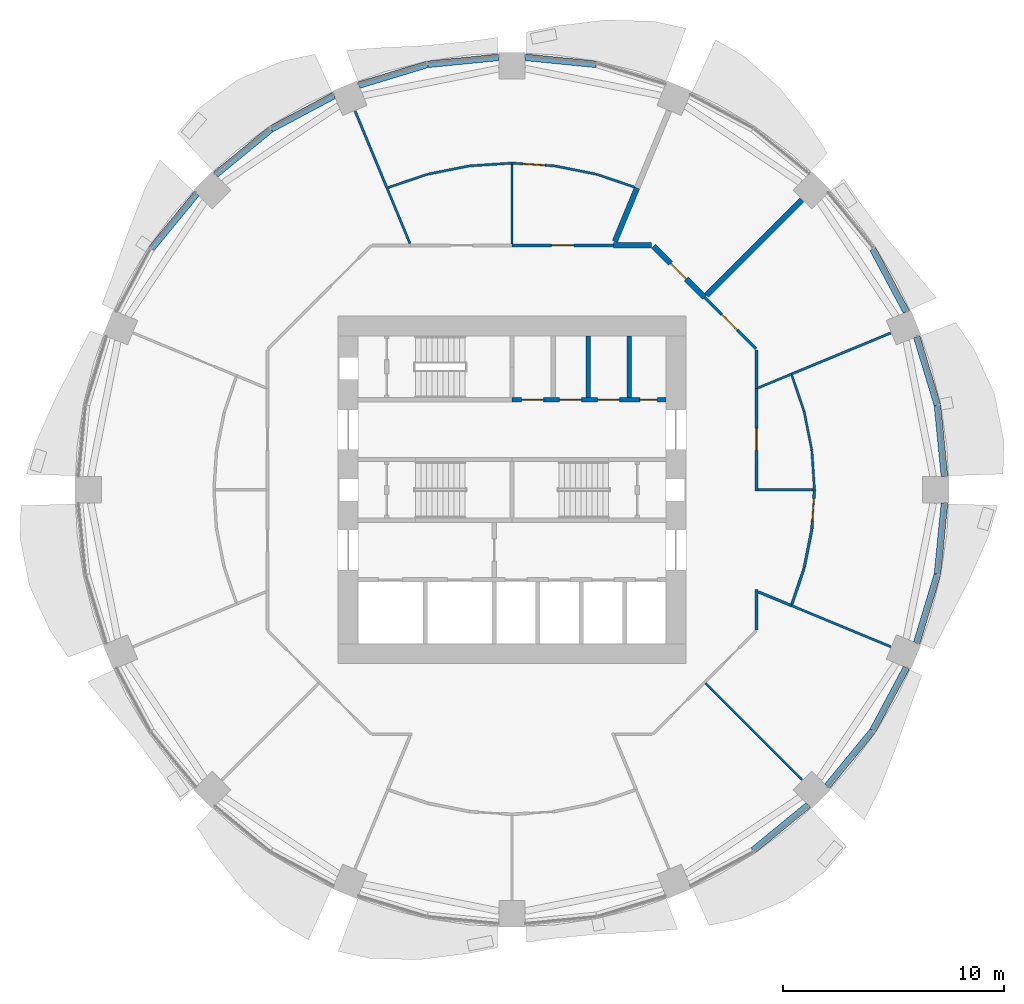
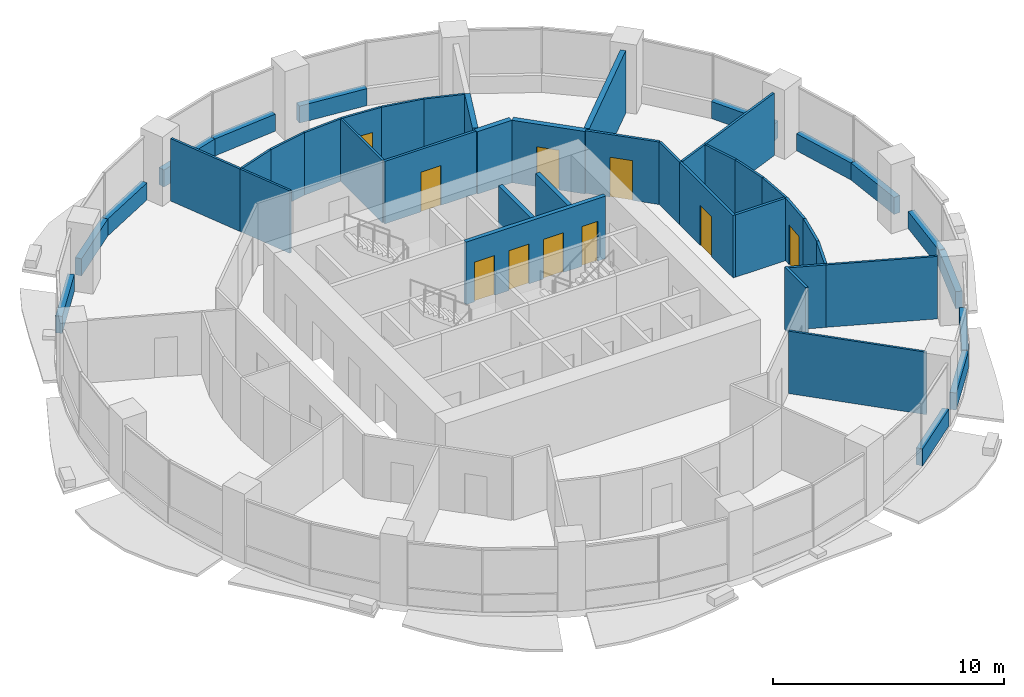
# One storey, part 10 of 15: 47 walls, 10 doors, 10 openings.
"""IFC4 building model written with IfcOpenShell, lengths in metres."""

from ifc_helpers import new_model, si_unit, direction, frame, frame_2d, origin, place, context, subcontext, project, spatial, rectangle, extrude, material, layer, layer_set, type_object, element, fill, save


model = new_model("IFC4")

# Units and contexts
model_context = context("Model", 3, precision=1e-05, world=origin(), true_north=direction((0.0, 1.0)))
body_context = subcontext(model_context, "Body", "Model", "MODEL_VIEW")
ifc_project = project(units=[si_unit("LENGTHUNIT", "METRE"), si_unit("AREAUNIT", "SQUARE_METRE"), si_unit("VOLUMEUNIT", "CUBIC_METRE"), si_unit("PLANEANGLEUNIT", "RADIAN"), si_unit("MASSUNIT", "GRAM", prefix="KILO")], contexts=[model_context])

# Site, building, storey
site_placement = place(None, origin())
site = spatial("IfcSite", under=ifc_project, at=site_placement, CompositionType="ELEMENT")
building_placement = place(site_placement, origin())
building = spatial("IfcBuilding", under=site, at=building_placement, Name="Polderwave Tower", CompositionType="ELEMENT")
storey_placement = place(building_placement, frame((0.0, 0.0, 33.5)))
storey = spatial("IfcBuildingStorey", under=building, at=storey_placement, Name="L08", CompositionType="ELEMENT", Elevation=33.5)

# Walls
ifc_material_1 = material(Name="Concrete C50/60 (board-marked)", Category="concrete")
ifc_layer_1 = layer(ifc_material_1, 0.300048828125)
ifc_layer_set_1 = layer_set([ifc_layer_1], Name="Concrete spandrel upstand C50/60")
wall_type_1 = type_object("IfcWallType", Name="Concrete spandrel upstand C50/60", PredefinedType="SOLIDWALL", material=ifc_layer_set_1)
for number, where, z_axis, x_axis, name in (
    (1, (19.589599609375, 0.61279296875, 0.0), (0.0, 0.0, 1.0), (-0.09816025243, 0.995170620971, 0.0), "Spandrel L08 1a"),
    (2, (19.267578125, 3.847412109375, 0.0), (0.0, 0.0, 1.0), (-0.290301899131, 0.956935111364, 0.0), "Spandrel L08 1b"),
):
    element("IfcWall", number, at=place(storey_placement, frame(where, z_axis=z_axis, x_axis=x_axis)), inside=storey, type_object=wall_type_1, Name=name, PredefinedType="SOLIDWALL", context=body_context, shape_type="SweptSolid", body=[
        extrude(rectangle(XDim=3.220947265625, YDim=0.300048828125, at=frame_2d((1.6103515625, 0.0))), origin(), (0.0, 0.0, 1.0), 0.89990234375),
    ])
wall_1_placement = place(storey_placement, frame((17.86279296875, 8.063232421875, 0.0), z_axis=(0.0, 0.0, 1.0), x_axis=(-0.471217656413, 0.882016961449, 0.0)))
element("IfcWall", 3, at=wall_1_placement, inside=storey, type_object=wall_type_1, Name="Spandrel L08 2a", PredefinedType="SOLIDWALL", context=body_context, shape_type="SweptSolid", body=[
    extrude(rectangle(XDim=3.220458984375, YDim=0.300048828125, at=frame_2d((1.6103515625, 0.0))), origin(), (0.0, 0.0, 1.0), 0.89990234375),
])
for number, where, z_axis, x_axis, name in (
    (4, (3.818115234375, 19.2734375, 0.0), (0.0, 0.0, 1.0), (-0.995170620971, 0.09816025243, 0.0), "Spandrel L08 4b"),
    (5, (-0.61279296875, 19.589599609375, 0.0), (0.0, 0.0, 1.0), (-0.995170620971, -0.09816025243, 0.0), "Spandrel L08 5a"),
    (6, (-3.847412109375, 19.267578125, 0.0), (0.0, 0.0, 1.0), (-0.956935111364, -0.290301899131, 0.0), "Spandrel L08 5b"),
):
    element("IfcWall", number, at=place(storey_placement, frame(where, z_axis=z_axis, x_axis=x_axis)), inside=storey, type_object=wall_type_1, Name=name, PredefinedType="SOLIDWALL", context=body_context, shape_type="SweptSolid", body=[
        extrude(rectangle(XDim=3.220947265625, YDim=0.300048828125, at=frame_2d((1.6103515625, 0.0))), origin(), (0.0, 0.0, 1.0), 0.89990234375),
    ])
wall_2_placement = place(storey_placement, frame((-8.063232421875, 17.86279296875, 0.0), z_axis=(0.0, 0.0, 1.0), x_axis=(-0.882016961449, -0.471217656413, 0.0)))
element("IfcWall", 7, at=wall_2_placement, inside=storey, type_object=wall_type_1, Name="Spandrel L08 6a", PredefinedType="SOLIDWALL", context=body_context, shape_type="SweptSolid", body=[
    extrude(rectangle(XDim=3.220458984375, YDim=0.300048828125, at=frame_2d((1.6103515625, 0.0))), origin(), (0.0, 0.0, 1.0), 0.89990234375),
])
for number, where, z_axis, x_axis, name in (
    (8, (-10.9287109375, 16.32861328125, 0.0), (0.0, 0.0, 1.0), (-0.773020947345, -0.634380496993, 0.0), "Spandrel L08 6b"),
    (9, (-14.285400390625, 13.41845703125, 0.0), (0.0, 0.0, 1.0), (-0.634380496993, -0.773020947345, 0.0), "Spandrel L08 7a"),
    (10, (10.9287109375, -16.32861328125, 0.0), (0.0, 0.0, 1.0), (0.773020947345, 0.634380496993, 0.0), "Spandrel L08 14b"),
    (11, (14.285400390625, -13.41845703125, 0.0), (0.0, 0.0, 1.0), (0.634380496993, 0.773020947345, 0.0), "Spandrel L08 15a"),
):
    element("IfcWall", number, at=place(storey_placement, frame(where, z_axis=z_axis, x_axis=x_axis)), inside=storey, type_object=wall_type_1, Name=name, PredefinedType="SOLIDWALL", context=body_context, shape_type="SweptSolid", body=[
        extrude(rectangle(XDim=3.220703125, YDim=0.300048828125, at=frame_2d((1.6103515625, 0.0))), origin(), (0.0, 0.0, 1.0), 0.89990234375),
    ])
wall_3_placement = place(storey_placement, frame((16.34521484375, -10.90380859375, 0.0), z_axis=(0.0, 0.0, 1.0), x_axis=(0.471217656413, 0.882016961449, 0.0)))
element("IfcWall", 12, at=wall_3_placement, inside=storey, type_object=wall_type_1, Name="Spandrel L08 15b", PredefinedType="SOLIDWALL", context=body_context, shape_type="SweptSolid", body=[
    extrude(rectangle(XDim=3.220458984375, YDim=0.300048828125, at=frame_2d((1.6103515625, 0.0))), origin(), (0.0, 0.0, 1.0), 0.89990234375),
])
for number, where, z_axis, x_axis, name in (
    (13, (18.33251953125, -6.9296875, 0.0), (0.0, 0.0, 1.0), (0.290301899131, 0.956935111364, 0.0), "Spandrel L08 16a"),
    (14, (19.2734375, -3.818115234375, 0.0), (0.0, 0.0, 1.0), (0.09816025243, 0.995170620971, 0.0), "Spandrel L08 16b"),
):
    element("IfcWall", number, at=place(storey_placement, frame(where, z_axis=z_axis, x_axis=x_axis)), inside=storey, type_object=wall_type_1, Name=name, PredefinedType="SOLIDWALL", context=body_context, shape_type="SweptSolid", body=[
        extrude(rectangle(XDim=3.220947265625, YDim=0.300048828125, at=frame_2d((1.6103515625, 0.0))), origin(), (0.0, 0.0, 1.0), 0.89990234375),
    ])
ifc_material_2 = material(Name="Gypsum board partition")
ifc_layer_2 = layer(ifc_material_2, 0.199951171875)
ifc_layer_set_2 = layer_set([ifc_layer_2], Name="Core room partition 200")
wall_type_2 = type_object("IfcWallType", Name="Core room partition 200", PredefinedType="PARTITIONING", material=ifc_layer_set_2)
wall_4_placement = place(storey_placement, frame((3.444580078125, 4.174072265625, 0.0), z_axis=(0.0, 0.0, 1.0), x_axis=(0.0, 1.0, 0.0)))
element("IfcWall", 15, at=wall_4_placement, inside=storey, type_object=wall_type_2, Name="L08 room partition N2", PredefinedType="PARTITIONING", context=body_context, shape_type="SweptSolid", body=[
    extrude(rectangle(XDim=2.800048828125, YDim=0.199951171875, at=frame_2d((1.39990234375, 0.0))), origin(), (0.0, 0.0, 1.0), 3.300048828125),
])

# Wall, openings, doors
ifc_material_3 = material(Name="Concrete C50/60", Category="concrete")
ifc_layer_3 = layer(ifc_material_3, 0.199951171875)
ifc_layer_set_3 = layer_set([ifc_layer_3], Name="Core web wall 200")
wall_type_3 = type_object("IfcWallType", Name="Core web wall 200", PredefinedType="SHEAR", material=ifc_layer_set_3)
wall_5_placement = place(storey_placement, frame((0.0, 4.073974609375, 0.0), z_axis=(0.0, 0.0, 1.0), x_axis=(1.0, 0.0, 0.0)))
wall_5 = element("IfcWall", 16, at=wall_5_placement, inside=storey, type_object=wall_type_3, Name="L08 north front wall 2", PredefinedType="SHEAR", context=body_context, shape_type="SweptSolid", body=[
    extrude(rectangle(XDim=6.97412109375, YDim=0.199951171875, at=frame_2d((3.487060546875, 0.0))), origin(), (0.0, 0.0, 1.0), 3.300048828125),
])
opening_1_placement = place(wall_5_placement, frame((0.430419921875, 0.0, 0.0)))
opening_1 = element("IfcOpeningElement", 17, at=opening_1_placement, cuts=wall_5, Name="Opening L08-D14", PredefinedType="OPENING", context=body_context, shape_type="SweptSolid", body=[
    extrude(rectangle(XDim=1.0, YDim=2.10009765625, at=frame_2d((0.5, 1.050048828125))), frame((0.0, 0.10986328125, 0.0), z_axis=(0.0, -1.0, 0.0), x_axis=(1.0, 0.0, 0.0)), (0.0, 0.0, 1.0), 0.219970703125),
])
opening_2_placement = place(wall_5_placement, frame((2.152587890625, 0.0, 0.0)))
opening_2 = element("IfcOpeningElement", 18, at=opening_2_placement, cuts=wall_5, Name="Opening L08-D15", PredefinedType="OPENING", context=body_context, shape_type="SweptSolid", body=[
    extrude(rectangle(XDim=1.0, YDim=2.10009765625, at=frame_2d((0.5, 1.050048828125))), frame((0.0, 0.10986328125, 0.0), z_axis=(0.0, -1.0, 0.0), x_axis=(1.0, 0.0, 0.0)), (0.0, 0.0, 1.0), 0.219970703125),
])
opening_3_placement = place(wall_5_placement, frame((3.875, 0.0, 0.0)))
opening_3 = element("IfcOpeningElement", 19, at=opening_3_placement, cuts=wall_5, Name="Opening L08-D16", PredefinedType="OPENING", context=body_context, shape_type="SweptSolid", body=[
    extrude(rectangle(XDim=1.0, YDim=2.10009765625, at=frame_2d((0.5, 1.050048828125))), frame((0.0, 0.10986328125, 0.0), z_axis=(0.0, -1.0, 0.0), x_axis=(1.0, 0.0, 0.0)), (0.0, 0.0, 1.0), 0.219970703125),
])
opening_4_placement = place(wall_5_placement, frame((5.789794921875, 0.0, 0.0)))
opening_4 = element("IfcOpeningElement", 20, at=opening_4_placement, cuts=wall_5, Name="Opening L08-D17", PredefinedType="OPENING", context=body_context, shape_type="SweptSolid", body=[
    extrude(rectangle(XDim=0.800048828125, YDim=2.10009765625, at=frame_2d((0.39990234375, 1.050048828125))), frame((0.0, 0.10986328125, 0.0), z_axis=(0.0, -1.0, 0.0), x_axis=(1.0, 0.0, 0.0)), (0.0, 0.0, 1.0), 0.219970703125),
])
ifc_material_4 = material(Name="Timber door leaf", Category="wood")
door_type_1 = type_object("IfcDoorType", Name="Accessible WC door 1000", OperationType="NOTDEFINED", PredefinedType="DOOR", material=ifc_material_4)
door_1_placement = place(opening_1_placement, origin())
door_1 = element("IfcDoor", 21, at=door_1_placement, inside=storey, type_object=door_type_1, Name="Accessible WC door", OperationType="SINGLE_SWING_LEFT", OverallHeight=2.10009765625, OverallWidth=1.0, PredefinedType="DOOR", context=body_context, shape_type="SweptSolid", body=[
    extrude(rectangle(XDim=1.0, YDim=2.10009765625, at=frame_2d((0.5, 1.050048828125))), frame((0.0, 0.02490234375, 0.0), z_axis=(0.0, -1.0, 0.0), x_axis=(1.0, 0.0, 0.0)), (0.0, 0.0, 1.0), 0.050048828125),
])
fill(opening_1, door_1)
ifc_material_5 = material(Name="Steel fire door", Category="steel")
door_type_2 = type_object("IfcDoorType", Name="Riser door 800", OperationType="NOTDEFINED", PredefinedType="DOOR", material=ifc_material_5)
door_2_placement = place(opening_4_placement, frame((0.800048828125, 0.0, 0.0), z_axis=(0.0, 0.0, 1.0), x_axis=(-1.0, 0.0, 0.0)))
door_2 = element("IfcDoor", 22, at=door_2_placement, inside=storey, type_object=door_type_2, Name="Riser door", OperationType="SINGLE_SWING_LEFT", OverallHeight=2.10009765625, OverallWidth=0.800048828125, PredefinedType="DOOR", context=body_context, shape_type="SweptSolid", body=[
    extrude(rectangle(XDim=0.800048828125, YDim=2.10009765625, at=frame_2d((0.39990234375, 1.050048828125))), frame((0.0, 0.02490234375, 0.0), z_axis=(0.0, -1.0, 0.0), x_axis=(1.0, 0.0, 0.0)), (0.0, 0.0, 1.0), 0.050048828125),
])
fill(opening_4, door_2)
door_type_3 = type_object("IfcDoorType", Name="Room door 1000", OperationType="NOTDEFINED", PredefinedType="DOOR", material=ifc_material_4)
door_3_placement = place(opening_2_placement, frame((1.0, 0.0, 0.0), z_axis=(0.0, 0.0, 1.0), x_axis=(-1.0, 0.0, 0.0)))
door_3 = element("IfcDoor", 23, at=door_3_placement, inside=storey, type_object=door_type_3, Name="Pump room door", OperationType="SINGLE_SWING_RIGHT", OverallHeight=2.10009765625, OverallWidth=1.0, PredefinedType="DOOR", context=body_context, shape_type="SweptSolid", body=[
    extrude(rectangle(XDim=1.0, YDim=2.10009765625, at=frame_2d((0.5, 1.050048828125))), frame((0.0, 0.02490234375, 0.0), z_axis=(0.0, -1.0, 0.0), x_axis=(1.0, 0.0, 0.0)), (0.0, 0.0, 1.0), 0.050048828125),
])
fill(opening_2, door_3)
door_4_placement = place(opening_3_placement, origin())
door_4 = element("IfcDoor", 24, at=door_4_placement, inside=storey, type_object=door_type_3, Name="Cleaner's store door", OperationType="SINGLE_SWING_RIGHT", OverallHeight=2.10009765625, OverallWidth=1.0, PredefinedType="DOOR", context=body_context, shape_type="SweptSolid", body=[
    extrude(rectangle(XDim=1.0, YDim=2.10009765625, at=frame_2d((0.5, 1.050048828125))), frame((0.0, 0.02490234375, 0.0), z_axis=(0.0, -1.0, 0.0), x_axis=(1.0, 0.0, 0.0)), (0.0, 0.0, 1.0), 0.050048828125),
])
fill(opening_3, door_4)

# Wall, opening, door
ifc_material_6 = material(Name="Fire-resisting board on steel studs", Category="steel")
ifc_layer_4 = layer(ifc_material_6, 0.125)
ifc_layer_set_4 = layer_set([ifc_layer_4], Name="Corridor wall 125 mm EI 60")
wall_type_4 = type_object("IfcWallType", Name="Corridor wall 125 mm EI 60", PredefinedType="PARTITIONING", material=ifc_layer_set_4)
wall_6_placement = place(storey_placement, frame((11.073974609375, 4.5869140625, 0.0), z_axis=(0.0, 0.0, 1.0), x_axis=(0.0, -1.0, 0.0)))
wall_6 = element("IfcWall", 25, at=wall_6_placement, inside=storey, type_object=wall_type_4, Name="IN-L08-W001", PredefinedType="PARTITIONING", context=body_context, shape_type="SweptSolid", body=[
    extrude(rectangle(XDim=4.6494140625, YDim=0.125, at=frame_2d((2.32470703125, 0.0))), origin(), (0.0, 0.0, 1.0), 3.300048828125),
])
opening_5_placement = place(wall_6_placement, frame((1.800048828125, 0.0, 0.0)))
opening_5 = element("IfcOpeningElement", 26, at=opening_5_placement, cuts=wall_6, Name="Opening L08-D50", PredefinedType="OPENING", context=body_context, shape_type="SweptSolid", body=[
    extrude(rectangle(XDim=1.0, YDim=2.10009765625, at=frame_2d((0.5, 1.050048828125))), frame((0.0, 0.072509765625, 0.0), z_axis=(0.0, -1.0, 0.0), x_axis=(1.0, 0.0, 0.0)), (0.0, 0.0, 1.0), 0.14501953125),
])
ifc_material_7 = material(Name="Timber fire door leaf", Category="wood")
door_type_4 = type_object("IfcDoorType", Name="Fire door FD30S 1000 x 2100", OperationType="NOTDEFINED", PredefinedType="DOOR", material=ifc_material_7)
door_5_placement = place(opening_5_placement, origin())
door_5 = element("IfcDoor", 27, at=door_5_placement, inside=storey, type_object=door_type_4, Name="Door L08-D50", OperationType="SINGLE_SWING_LEFT", OverallHeight=2.10009765625, OverallWidth=1.0, PredefinedType="DOOR", context=body_context, shape_type="SweptSolid", body=[
    extrude(rectangle(XDim=1.0, YDim=2.10009765625, at=frame_2d((0.5, 1.050048828125))), frame((0.0, 0.02490234375, 0.0), z_axis=(0.0, -1.0, 0.0), x_axis=(1.0, 0.0, 0.0)), (0.0, 0.0, 1.0), 0.050048828125),
])
fill(opening_5, door_5)

wall_7_placement = place(storey_placement, frame((8.722412109375, 8.722412109375, 0.0), z_axis=(0.0, 0.0, 1.0), x_axis=(0.707143776336, -0.707069784102, 0.0)))
wall_7 = element("IfcWall", 28, at=wall_7_placement, inside=storey, type_object=wall_type_4, Name="IN-L08-W002", PredefinedType="PARTITIONING", context=body_context, shape_type="SweptSolid", body=[
    extrude(rectangle(XDim=3.299560546875, YDim=0.125, at=frame_2d((1.64990234375, 0.0))), origin(), (0.0, 0.0, 1.0), 3.300048828125),
])
opening_6_placement = place(wall_7_placement, frame((1.10009765625, 0.0, 0.0)))
opening_6 = element("IfcOpeningElement", 29, at=opening_6_placement, cuts=wall_7, Name="Opening L08-D51", PredefinedType="OPENING", context=body_context, shape_type="SweptSolid", body=[
    extrude(rectangle(XDim=1.0, YDim=2.10009765625, at=frame_2d((0.5, 1.050048828125))), frame((0.0, 0.072509765625, 0.0), z_axis=(0.0, -1.0, 0.0), x_axis=(1.0, 0.0, 0.0)), (0.0, 0.0, 1.0), 0.14501953125),
])
door_6_placement = place(opening_6_placement, origin())
door_6 = element("IfcDoor", 30, at=door_6_placement, inside=storey, type_object=door_type_4, Name="Door L08-D51", OperationType="SINGLE_SWING_LEFT", OverallHeight=2.10009765625, OverallWidth=1.0, PredefinedType="DOOR", context=body_context, shape_type="SweptSolid", body=[
    extrude(rectangle(XDim=1.0, YDim=2.10009765625, at=frame_2d((0.5, 1.050048828125))), frame((0.0, 0.02490234375, 0.0), z_axis=(0.0, -1.0, 0.0), x_axis=(1.0, 0.0, 0.0)), (0.0, 0.0, 1.0), 0.050048828125),
])
fill(opening_6, door_6)

# Walls
wall_8_placement = place(storey_placement, frame((11.073974609375, 6.34521484375, 0.0), z_axis=(0.0, 0.0, 1.0), x_axis=(0.0, -1.0, 0.0)))
element("IfcWall", 31, at=wall_8_placement, inside=storey, type_object=wall_type_4, Name="IN-L08-W003", PredefinedType="PARTITIONING", context=body_context, shape_type="SweptSolid", body=[
    extrude(rectangle(XDim=1.75830078125, YDim=0.125, at=frame_2d((0.879150390625, 0.0))), origin(), (0.0, 0.0, 1.0), 3.300048828125),
])
wall_9_placement = place(storey_placement, frame((11.073974609375, -4.5244140625, 0.0), z_axis=(0.0, 0.0, 1.0), x_axis=(0.0, -1.0, 0.0)))
element("IfcWall", 32, at=wall_9_placement, inside=storey, type_object=wall_type_4, Name="IN-L08-W005", PredefinedType="PARTITIONING", context=body_context, shape_type="SweptSolid", body=[
    extrude(rectangle(XDim=1.82080078125, YDim=0.125, at=frame_2d((0.910400390625, 0.0))), origin(), (0.0, 0.0, 1.0), 3.300048828125),
])

# Wall, opening, door
wall_10_placement = place(storey_placement, frame((0.0, 11.073974609375, 0.0), z_axis=(0.0, 0.0, 1.0), x_axis=(1.0, 0.0, 0.0)))
wall_10 = element("IfcWall", 33, at=wall_10_placement, inside=storey, type_object=wall_type_4, Name="IN-L08-W008", PredefinedType="PARTITIONING", context=body_context, shape_type="SweptSolid", body=[
    extrude(rectangle(XDim=4.5869140625, YDim=0.125, at=frame_2d((2.29345703125, 0.0))), origin(), (0.0, 0.0, 1.0), 3.300048828125),
])
opening_7_placement = place(wall_10_placement, frame((1.800048828125, 0.0, 0.0)))
opening_7 = element("IfcOpeningElement", 34, at=opening_7_placement, cuts=wall_10, Name="Opening L08-D54", PredefinedType="OPENING", context=body_context, shape_type="SweptSolid", body=[
    extrude(rectangle(XDim=1.0, YDim=2.10009765625, at=frame_2d((0.5, 1.050048828125))), frame((0.0, 0.072509765625, 0.0), z_axis=(0.0, -1.0, 0.0), x_axis=(1.0, 0.0, 0.0)), (0.0, 0.0, 1.0), 0.14501953125),
])
door_7_placement = place(opening_7_placement, origin())
door_7 = element("IfcDoor", 35, at=door_7_placement, inside=storey, type_object=door_type_4, Name="Door L08-D54", OperationType="SINGLE_SWING_RIGHT", OverallHeight=2.10009765625, OverallWidth=1.0, PredefinedType="DOOR", context=body_context, shape_type="SweptSolid", body=[
    extrude(rectangle(XDim=1.0, YDim=2.10009765625, at=frame_2d((0.5, 1.050048828125))), frame((0.0, 0.02490234375, 0.0), z_axis=(0.0, -1.0, 0.0), x_axis=(1.0, 0.0, 0.0)), (0.0, 0.0, 1.0), 0.050048828125),
])
fill(opening_7, door_7)

# Walls
wall_11_placement = place(storey_placement, frame((12.6787109375, -5.1796875, 0.0), z_axis=(0.0, 0.0, 1.0), x_axis=(0.321414456213, 0.946938618569, 0.0)))
element("IfcWall", 36, at=wall_11_placement, inside=storey, type_object=wall_type_4, Name="IN-L08-W027", PredefinedType="PARTITIONING", context=body_context, shape_type="SweptSolid", body=[
    extrude(rectangle(XDim=1.72119140625, YDim=0.125, at=frame_2d((0.860595703125, 0.0))), origin(), (0.0, 0.0, 1.0), 3.300048828125),
])
wall_12_placement = place(storey_placement, frame((13.23388671875, -3.541748046875, 0.0), z_axis=(0.0, 0.0, 1.0), x_axis=(0.19516852136, 0.980769722346, 0.0)))
element("IfcWall", 37, at=wall_12_placement, inside=storey, type_object=wall_type_4, Name="IN-L08-W028", PredefinedType="PARTITIONING", context=body_context, shape_type="SweptSolid", body=[
    extrude(rectangle(XDim=1.783935546875, YDim=0.125, at=frame_2d((0.89208984375, 0.0))), origin(), (0.0, 0.0, 1.0), 3.300048828125),
])

# Wall, opening, door
wall_13_placement = place(storey_placement, frame((13.699951171875, 0.0, 0.0), z_axis=(0.0, 0.0, 1.0), x_axis=(-0.065404267719, -0.997858848617, 0.0)))
wall_13 = element("IfcWall", 38, at=wall_13_placement, inside=storey, type_object=wall_type_4, Name="IN-L08-W029", PredefinedType="PARTITIONING", context=body_context, shape_type="SweptSolid", body=[
    extrude(rectangle(XDim=1.7880859375, YDim=0.125, at=frame_2d((0.89404296875, 0.0))), origin(), (0.0, 0.0, 1.0), 3.300048828125),
])
opening_8_placement = place(wall_13_placement, frame((0.39990234375, 0.0, 0.0)))
opening_8 = element("IfcOpeningElement", 39, at=opening_8_placement, cuts=wall_13, Name="Opening L08-D62", PredefinedType="OPENING", context=body_context, shape_type="SweptSolid", body=[
    extrude(rectangle(XDim=1.0, YDim=2.10009765625, at=frame_2d((0.5, 1.050048828125))), frame((0.0, 0.072509765625, 0.0), z_axis=(0.0, -1.0, 0.0), x_axis=(1.0, 0.0, 0.0)), (0.0, 0.0, 1.0), 0.14501953125),
])
door_8_placement = place(opening_8_placement, origin())
door_8 = element("IfcDoor", 40, at=door_8_placement, inside=storey, type_object=door_type_4, Name="Door L08-D62", OperationType="SINGLE_SWING_RIGHT", OverallHeight=2.10009765625, OverallWidth=1.0, PredefinedType="DOOR", context=body_context, shape_type="SweptSolid", body=[
    extrude(rectangle(XDim=1.0, YDim=2.10009765625, at=frame_2d((0.5, 1.050048828125))), frame((0.0, 0.02490234375, 0.0), z_axis=(0.0, -1.0, 0.0), x_axis=(1.0, 0.0, 0.0)), (0.0, 0.0, 1.0), 0.050048828125),
])
fill(opening_8, door_8)

# Walls
wall_14_placement = place(storey_placement, frame((13.63330078125, 0.0, 0.0), z_axis=(0.0, 0.0, 1.0), x_axis=(-1.0, 0.0, 0.0)))
element("IfcWall", 41, at=wall_14_placement, inside=storey, type_object=wall_type_4, Name="IN-L08-W031", PredefinedType="PARTITIONING", context=body_context, shape_type="SweptSolid", body=[
    extrude(rectangle(XDim=2.496826171875, YDim=0.125, at=frame_2d((1.24853515625, 0.0))), origin(), (0.0, 0.0, 1.0), 3.300048828125),
])
wall_15_placement = place(storey_placement, frame((11.160400390625, -4.622802734375, 0.0), z_axis=(0.0, 0.0, 1.0), x_axis=(0.92383312361, -0.382795454155, 0.0)))
element("IfcWall", 42, at=wall_15_placement, inside=storey, type_object=wall_type_4, Name="IN-L08-W068", PredefinedType="PARTITIONING", context=body_context, shape_type="SweptSolid", body=[
    extrude(rectangle(XDim=1.619873046875, YDim=0.125, at=frame_2d((0.81005859375, 0.0))), origin(), (0.0, 0.0, 1.0), 3.300048828125),
])
ifc_material_8 = material(Name="Moisture-resistant board on steel studs, tiled", Category="steel")
ifc_layer_5 = layer(ifc_material_8, 0.10498046875)
ifc_layer_set_5 = layer_set([ifc_layer_5], Name="Partition 105 mm wet room board and tile")
wall_type_5 = type_object("IfcWallType", Name="Partition 105 mm wet room board and tile", PredefinedType="PARTITIONING", material=ifc_layer_set_5)
wall_16_placement = place(storey_placement, frame((13.232177734375, 3.549072265625, 0.0), z_axis=(0.0, 0.0, 1.0), x_axis=(-0.321556170711, 0.946890505327, 0.0)))
element("IfcWall", 43, at=wall_16_placement, inside=storey, type_object=wall_type_5, Name="IN-L08-W022", PredefinedType="PARTITIONING", context=body_context, shape_type="SweptSolid", body=[
    extrude(rectangle(XDim=1.730224609375, YDim=0.10498046875, at=frame_2d((0.865234375, 0.0))), origin(), (0.0, 0.0, 1.0), 3.300048828125),
])
wall_17_placement = place(storey_placement, frame((13.58203125, 1.79150390625, 0.0), z_axis=(0.0, 0.0, 1.0), x_axis=(-0.195011457743, 0.980800964186, 0.0)))
element("IfcWall", 44, at=wall_17_placement, inside=storey, type_object=wall_type_5, Name="IN-L08-W023", PredefinedType="PARTITIONING", context=body_context, shape_type="SweptSolid", body=[
    extrude(rectangle(XDim=1.78515625, YDim=0.10498046875, at=frame_2d((0.892578125, 0.0))), origin(), (0.0, 0.0, 1.0), 3.300048828125),
])
wall_18_placement = place(storey_placement, frame((13.699951171875, 0.0, 0.0), z_axis=(0.0, 0.0, 1.0), x_axis=(-0.065377544428, 0.997860599826, 0.0)))
element("IfcWall", 45, at=wall_18_placement, inside=storey, type_object=wall_type_5, Name="IN-L08-W024", PredefinedType="PARTITIONING", context=body_context, shape_type="SweptSolid", body=[
    extrude(rectangle(XDim=1.788818359375, YDim=0.10498046875, at=frame_2d((0.89453125, 0.0))), origin(), (0.0, 0.0, 1.0), 3.300048828125),
])
wall_19_placement = place(storey_placement, frame((17.156494140625, -7.1064453125, 0.0), z_axis=(0.0, 0.0, 1.0), x_axis=(-0.923896474602, 0.382642527978, 0.0)))
element("IfcWall", 46, at=wall_19_placement, inside=storey, type_object=wall_type_5, Name="IN-L08-W026", PredefinedType="PARTITIONING", context=body_context, shape_type="SweptSolid", body=[
    extrude(rectangle(XDim=4.8701171875, YDim=0.10498046875, at=frame_2d((2.43505859375, 0.0))), origin(), (0.0, 0.0, 1.0), 3.300048828125),
])
wall_20_placement = place(storey_placement, frame((11.156494140625, 4.62109375, 0.0), z_axis=(0.0, 0.0, 1.0), x_axis=(0.923813438205, 0.382842959178, 0.0)))
element("IfcWall", 47, at=wall_20_placement, inside=storey, type_object=wall_type_5, Name="IN-L08-W030", PredefinedType="PARTITIONING", context=body_context, shape_type="SweptSolid", body=[
    extrude(rectangle(XDim=1.624267578125, YDim=0.10498046875, at=frame_2d((0.81201171875, 0.0))), origin(), (0.0, 0.0, 1.0), 3.300048828125),
])

# Wall, opening, door
wall_21_placement = place(storey_placement, frame((0.0, 14.800048828125, 0.0), z_axis=(0.0, 0.0, 1.0), x_axis=(0.997856678607, -0.065437366694, 0.0)))
wall_21 = element("IfcWall", 48, at=wall_21_placement, inside=storey, type_object=wall_type_5, Name="IN-L08-W035", PredefinedType="PARTITIONING", context=body_context, shape_type="SweptSolid", body=[
    extrude(rectangle(XDim=1.9326171875, YDim=0.10498046875, at=frame_2d((0.96630859375, 0.0))), origin(), (0.0, 0.0, 1.0), 3.300048828125),
])
opening_9_placement = place(wall_21_placement, frame((0.5, 0.0, 0.0)))
opening_9 = element("IfcOpeningElement", 49, at=opening_9_placement, cuts=wall_21, Name="Opening L08-D63", PredefinedType="OPENING", context=body_context, shape_type="SweptSolid", body=[
    extrude(rectangle(XDim=1.0, YDim=2.10009765625, at=frame_2d((0.5, 1.050048828125))), frame((0.0, 0.0625, 0.0), z_axis=(0.0, -1.0, 0.0), x_axis=(1.0, 0.0, 0.0)), (0.0, 0.0, 1.0), 0.125),
])
ifc_material_9 = material(Name="Timber veneer door leaf", Category="wood")
door_type_5 = type_object("IfcDoorType", Name="Single door 1000 x 2100", OperationType="NOTDEFINED", PredefinedType="DOOR", material=ifc_material_9)
door_9_placement = place(opening_9_placement, origin())
door_9 = element("IfcDoor", 50, at=door_9_placement, inside=storey, type_object=door_type_5, Name="Door L08-D63", OperationType="SINGLE_SWING_RIGHT", OverallHeight=2.10009765625, OverallWidth=1.0, PredefinedType="DOOR", context=body_context, shape_type="SweptSolid", body=[
    extrude(rectangle(XDim=1.0, YDim=2.10009765625, at=frame_2d((0.5, 1.050048828125))), frame((0.0, 0.02490234375, 0.0), z_axis=(0.0, -1.0, 0.0), x_axis=(1.0, 0.0, 0.0)), (0.0, 0.0, 1.0), 0.050048828125),
])
fill(opening_9, door_9)

# Walls
wall_22_placement = place(storey_placement, frame((1.935302734375, 14.672607421875, 0.0), z_axis=(0.0, 0.0, 1.0), x_axis=(0.980794286951, -0.195045037578, 0.0)))
element("IfcWall", 51, at=wall_22_placement, inside=storey, type_object=wall_type_5, Name="IN-L08-W036", PredefinedType="PARTITIONING", context=body_context, shape_type="SweptSolid", body=[
    extrude(rectangle(XDim=1.928955078125, YDim=0.10498046875, at=frame_2d((0.96435546875, 0.0))), origin(), (0.0, 0.0, 1.0), 3.300048828125),
])
wall_23_placement = place(storey_placement, frame((3.833740234375, 14.294677734375, 0.0), z_axis=(0.0, 0.0, 1.0), x_axis=(0.946922795702, -0.321461069153, 0.0)))
element("IfcWall", 52, at=wall_23_placement, inside=storey, type_object=wall_type_5, Name="IN-L08-W037", PredefinedType="PARTITIONING", context=body_context, shape_type="SweptSolid", body=[
    extrude(rectangle(XDim=1.8037109375, YDim=0.10498046875, at=frame_2d((0.90185546875, 0.0))), origin(), (0.0, 0.0, 1.0), 3.300048828125),
])
wall_24_placement = place(storey_placement, frame((0.0, 11.136474609375, 0.0), z_axis=(0.0, 0.0, 1.0), x_axis=(0.0, 1.0, 0.0)))
element("IfcWall", 53, at=wall_24_placement, inside=storey, type_object=wall_type_5, Name="IN-L08-W038", PredefinedType="PARTITIONING", context=body_context, shape_type="SweptSolid", body=[
    extrude(rectangle(XDim=3.607421875, YDim=0.10498046875, at=frame_2d((1.8037109375, 0.0))), origin(), (0.0, 0.0, 1.0), 3.300048828125),
])
wall_25_placement = place(storey_placement, frame((-3.833740234375, 14.294677734375, 0.0), z_axis=(0.0, 0.0, 1.0), x_axis=(-0.946896557968, -0.321538346872, 0.0)))
element("IfcWall", 54, at=wall_25_placement, inside=storey, type_object=wall_type_5, Name="IN-L08-W039", PredefinedType="PARTITIONING", context=body_context, shape_type="SweptSolid", body=[
    extrude(rectangle(XDim=1.8740234375, YDim=0.10498046875, at=frame_2d((0.93701171875, 0.0))), origin(), (0.0, 0.0, 1.0), 3.300048828125),
])
wall_26_placement = place(storey_placement, frame((-1.935302734375, 14.672607421875, 0.0), z_axis=(0.0, 0.0, 1.0), x_axis=(-0.980794286951, -0.195045037578, 0.0)))
element("IfcWall", 55, at=wall_26_placement, inside=storey, type_object=wall_type_5, Name="IN-L08-W040", PredefinedType="PARTITIONING", context=body_context, shape_type="SweptSolid", body=[
    extrude(rectangle(XDim=1.928955078125, YDim=0.10498046875, at=frame_2d((0.96435546875, 0.0))), origin(), (0.0, 0.0, 1.0), 3.300048828125),
])
wall_27_placement = place(storey_placement, frame((0.0, 14.800048828125, 0.0), z_axis=(0.0, 0.0, 1.0), x_axis=(-0.997856678607, -0.065437366694, 0.0)))
element("IfcWall", 56, at=wall_27_placement, inside=storey, type_object=wall_type_5, Name="IN-L08-W041", PredefinedType="PARTITIONING", context=body_context, shape_type="SweptSolid", body=[
    extrude(rectangle(XDim=1.9326171875, YDim=0.10498046875, at=frame_2d((0.96630859375, 0.0))), origin(), (0.0, 0.0, 1.0), 3.300048828125),
])
wall_28_placement = place(storey_placement, frame((-4.62109375, 11.156494140625, 0.0), z_axis=(0.0, 0.0, 1.0), x_axis=(-0.382750161953, 0.923851889388, 0.0)))
element("IfcWall", 57, at=wall_28_placement, inside=storey, type_object=wall_type_5, Name="IN-L08-W043", PredefinedType="PARTITIONING", context=body_context, shape_type="SweptSolid", body=[
    extrude(rectangle(XDim=2.724365234375, YDim=0.10498046875, at=frame_2d((1.3623046875, 0.0))), origin(), (0.0, 0.0, 1.0), 3.300048828125),
])
wall_29_placement = place(storey_placement, frame((8.7666015625, -8.7666015625, 0.0), z_axis=(0.0, 0.0, 1.0), x_axis=(0.707106781187, -0.707106781187, 0.0)))
element("IfcWall", 58, at=wall_29_placement, inside=storey, type_object=wall_type_5, Name="IN-L08-W067", PredefinedType="PARTITIONING", context=body_context, shape_type="SweptSolid", body=[
    extrude(rectangle(XDim=6.17236328125, YDim=0.10498046875, at=frame_2d((3.086181640625, 0.0))), origin(), (0.0, 0.0, 1.0), 3.300048828125),
])
ifc_material_10 = material(Name="Acoustic double plasterboard on steel studs", Category="steel")
ifc_layer_6 = layer(ifc_material_10, 0.110107421875)
ifc_layer_set_6 = layer_set([ifc_layer_6], Name="Partition 110 mm acoustic double board")
wall_type_6 = type_object("IfcWallType", Name="Partition 110 mm acoustic double board", PredefinedType="PARTITIONING", material=ifc_layer_set_6)
wall_30_placement = place(storey_placement, frame((12.656982421875, 5.242919921875, 0.0), z_axis=(0.0, 0.0, 1.0), x_axis=(0.923896474602, 0.382642527978, 0.0)))
element("IfcWall", 59, at=wall_30_placement, inside=storey, type_object=wall_type_6, Name="IN-L08-W025", PredefinedType="PARTITIONING", context=body_context, shape_type="SweptSolid", body=[
    extrude(rectangle(XDim=4.8701171875, YDim=0.110107421875, at=frame_2d((2.43505859375, 0.0))), origin(), (0.0, 0.0, 1.0), 3.300048828125),
])
wall_31_placement = place(storey_placement, frame((-5.663818359375, 13.67333984375, 0.0), z_axis=(0.0, 0.0, 1.0), x_axis=(-0.38265110277, 0.923892923205, 0.0)))
element("IfcWall", 60, at=wall_31_placement, inside=storey, type_object=wall_type_6, Name="IN-L08-W042", PredefinedType="PARTITIONING", context=body_context, shape_type="SweptSolid", body=[
    extrude(rectangle(XDim=3.77001953125, YDim=0.110107421875, at=frame_2d((1.885009765625, 0.0))), origin(), (0.0, 0.0, 1.0), 3.300048828125),
])
ifc_material_11 = material(Name="Fire-resisting board on steel studs, mineral wool", Category="steel")
ifc_layer_7 = layer(ifc_material_11, 0.25)
ifc_layer_set_7 = layer_set([ifc_layer_7], Name="Plant room wall 250 mm EI 120")
wall_type_7 = type_object("IfcWallType", Name="Plant room wall 250 mm EI 120", PredefinedType="PARTITIONING", material=ifc_layer_set_7)
wall_32_placement = place(storey_placement, frame((4.5869140625, 11.073974609375, 0.0), z_axis=(0.0, 0.0, 1.0), x_axis=(1.0, 0.0, 0.0)))
element("IfcWall", 61, at=wall_32_placement, inside=storey, type_object=wall_type_7, Name="IN-L08-W006", PredefinedType="PARTITIONING", context=body_context, shape_type="SweptSolid", body=[
    extrude(rectangle(XDim=1.732421875, YDim=0.25, at=frame_2d((0.8662109375, 0.0))), origin(), (0.0, 0.0, 1.0), 3.300048828125),
])

# Wall, opening, door
wall_33_placement = place(storey_placement, frame((6.40771484375, 11.037353515625, 0.0), z_axis=(0.0, 0.0, 1.0), x_axis=(0.707069491442, -0.707144068965, 0.0)))
wall_33 = element("IfcWall", 62, at=wall_33_placement, inside=storey, type_object=wall_type_7, Name="IN-L08-W007", PredefinedType="PARTITIONING", context=body_context, shape_type="SweptSolid", body=[
    extrude(rectangle(XDim=3.273681640625, YDim=0.25, at=frame_2d((1.63671875, 0.0))), origin(), (0.0, 0.0, 1.0), 3.300048828125),
])
opening_10_placement = place(wall_33_placement, frame((1.10009765625, 0.0, 0.0)))
opening_10 = element("IfcOpeningElement", 63, at=opening_10_placement, cuts=wall_33, Name="Opening L08-D53", PredefinedType="OPENING", context=body_context, shape_type="SweptSolid", body=[
    extrude(rectangle(XDim=1.0, YDim=2.10009765625, at=frame_2d((0.5, 1.050048828125))), frame((0.0, 0.135009765625, 0.0), z_axis=(0.0, -1.0, 0.0), x_axis=(1.0, 0.0, 0.0)), (0.0, 0.0, 1.0), 0.27001953125),
])
ifc_material_12 = material(Name="Steel plant door leaf", Category="steel")
door_type_6 = type_object("IfcDoorType", Name="Plant door FD60 1000 x 2100 steel", OperationType="NOTDEFINED", PredefinedType="DOOR", material=ifc_material_12)
door_10_placement = place(opening_10_placement, origin())
door_10 = element("IfcDoor", 64, at=door_10_placement, inside=storey, type_object=door_type_6, Name="Door L08-D53", OperationType="SINGLE_SWING_LEFT", OverallHeight=2.10009765625, OverallWidth=1.0, PredefinedType="DOOR", context=body_context, shape_type="SweptSolid", body=[
    extrude(rectangle(XDim=1.0, YDim=2.10009765625, at=frame_2d((0.5, 1.050048828125))), frame((0.0, 0.02490234375, 0.0), z_axis=(0.0, -1.0, 0.0), x_axis=(1.0, 0.0, 0.0)), (0.0, 0.0, 1.0), 0.050048828125),
])
fill(opening_10, door_10)

# Walls
wall_34_placement = place(storey_placement, frame((13.131103515625, 13.131103515625, 0.0), z_axis=(0.0, 0.0, 1.0), x_axis=(-0.707106781187, -0.707106781187, 0.0)))
element("IfcWall", 65, at=wall_34_placement, inside=storey, type_object=wall_type_7, Name="IN-L08-W032", PredefinedType="PARTITIONING", context=body_context, shape_type="SweptSolid", body=[
    extrude(rectangle(XDim=6.10986328125, YDim=0.25, at=frame_2d((3.054931640625, 0.0))), origin(), (0.0, 0.0, 1.0), 3.300048828125),
])
wall_35_placement = place(storey_placement, frame((4.65869140625, 11.246826171875, 0.0), z_axis=(0.0, 0.0, 1.0), x_axis=(0.382693858119, 0.923875213954, 0.0)))
element("IfcWall", 66, at=wall_35_placement, inside=storey, type_object=wall_type_7, Name="IN-L08-W033", PredefinedType="PARTITIONING", context=body_context, shape_type="SweptSolid", body=[
    extrude(rectangle(XDim=2.62646484375, YDim=0.25, at=frame_2d((1.313232421875, 0.0))), origin(), (0.0, 0.0, 1.0), 3.300048828125),
])
ifc_material_13 = material(Name="Gypsum shaft wall system")
ifc_layer_8 = layer(ifc_material_13, 0.199951171875)
ifc_layer_set_8 = layer_set([ifc_layer_8], Name="Shaft wall 200")
wall_type_8 = type_object("IfcWallType", Name="Shaft wall 200", PredefinedType="PARTITIONING", material=ifc_layer_set_8)
wall_36_placement = place(storey_placement, frame((5.305419921875, 4.174072265625, 0.0), z_axis=(0.0, 0.0, 1.0), x_axis=(0.0, 1.0, 0.0)))
element("IfcWall", 67, at=wall_36_placement, inside=storey, type_object=wall_type_8, Name="L08 riser wall", PredefinedType="PARTITIONING", context=body_context, shape_type="SweptSolid", body=[
    extrude(rectangle(XDim=2.800048828125, YDim=0.199951171875, at=frame_2d((1.39990234375, 0.0))), origin(), (0.0, 0.0, 1.0), 3.300048828125),
])

save(model, "model.ifc")
